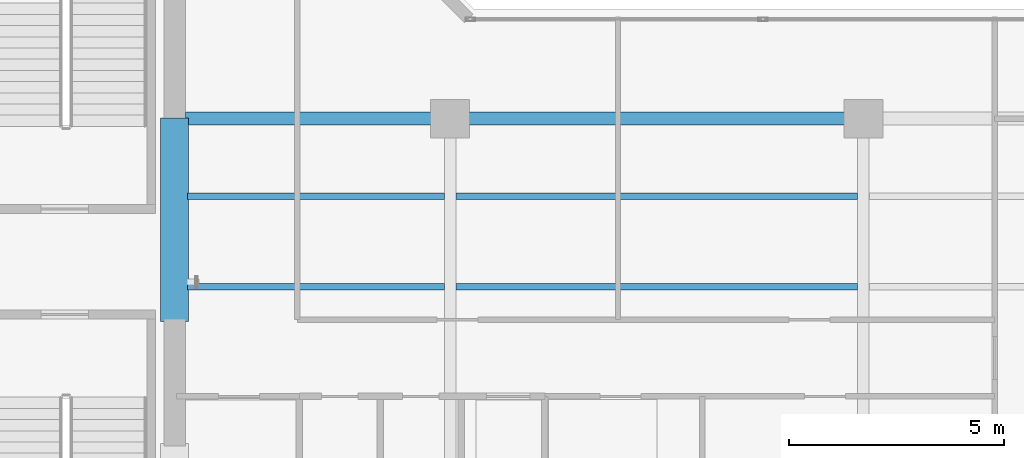
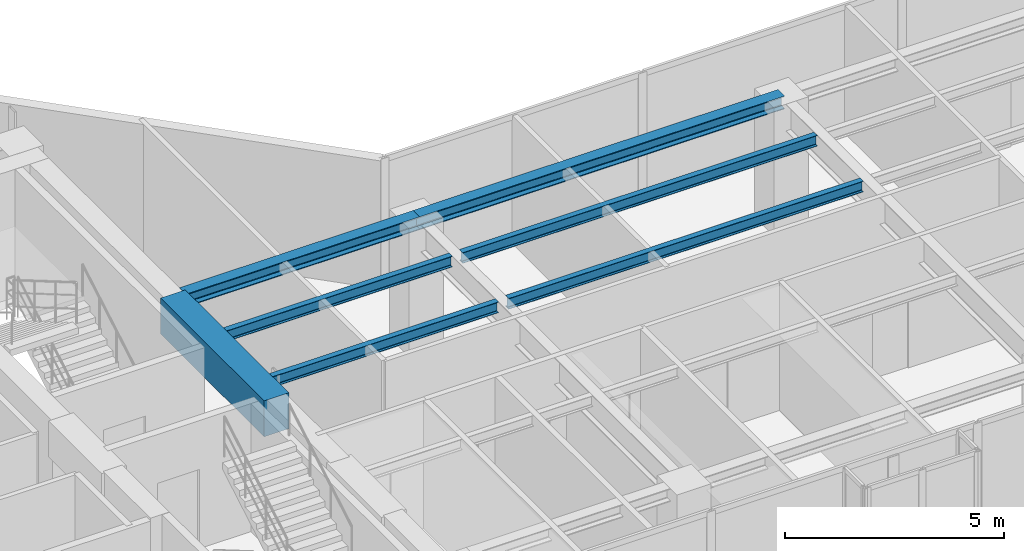
# One storey, part 6 of 22: 7 beams.
"""IFC4 building model written with IfcOpenShell, lengths in metres."""

from ifc_helpers import new_model, si_unit, direction, frame, origin, origin_2d, place, context, subcontext, project, spatial, rectangle, i_section, extrude, material, material_profile, profile_set, type_object, element, save


model = new_model("IFC4")

# Units and contexts
model_context = context("Model", 3, precision=1e-05, world=origin(), true_north=direction((0.0, 1.0)))
body_context = subcontext(model_context, "Body", "Model", "MODEL_VIEW")
ifc_project = project(units=[si_unit("LENGTHUNIT", "METRE"), si_unit("AREAUNIT", "SQUARE_METRE"), si_unit("VOLUMEUNIT", "CUBIC_METRE"), si_unit("PLANEANGLEUNIT", "RADIAN"), si_unit("MASSUNIT", "GRAM", prefix="KILO")], contexts=[model_context])

# Site, building, storey
site_placement = place(None, origin())
site = spatial("IfcSite", under=ifc_project, at=site_placement, CompositionType="ELEMENT")
building_placement = place(site_placement, origin())
building = spatial("IfcBuilding", under=site, at=building_placement, Name="Kolvaren Waterfront Exchange", CompositionType="ELEMENT")
storey_placement = place(building_placement, frame((0.0, 0.0, 281.800048828125)))
storey = spatial("IfcBuildingStorey", under=building, at=storey_placement, Name="L72", CompositionType="ELEMENT", Elevation=281.800048828125)

# Beams
ifc_material_1 = material(Name="Steel S355", Category="steel")
ifc_material_profile_1 = material_profile(ifc_material_1, i_section(OverallWidth=0.300048828125, OverallDepth=0.360107421875, WebThickness=0.012451171875, FlangeThickness=0.0224609375, FilletRadius=0.027099609375, at=origin_2d()), Name="HEB360")
ifc_profile_set_1 = profile_set([ifc_material_profile_1], Name="Steel S355")
beam_type_1 = type_object("IfcBeamType", Name="STR-BM-HEB360", PredefinedType="SPANDREL", material=ifc_profile_set_1)
beam_1_placement = place(storey_placement, frame((21.050048828125, 17.39990234375, 3.3798828125), z_axis=(1.0, 0.0, 0.0), x_axis=(0.0, 1.0, 0.0)))
element("IfcBeam", 1, at=beam_1_placement, inside=storey, type_object=beam_type_1, Name="L72 east-arm spandrel N1", PredefinedType="SPANDREL", context=body_context, shape_type="SweptSolid", body=[
    extrude(i_section(OverallWidth=0.300048828125, OverallDepth=0.360107421875, WebThickness=0.012451171875, FlangeThickness=0.0224609375, FilletRadius=0.027099609375, at=origin_2d()), origin(), (0.0, 0.0, 1.0), 6.14990234375),
])
beam_2_placement = place(storey_placement, frame((27.199951171875, 17.39990234375, 3.3798828125), z_axis=(1.0, 0.0, 0.0), x_axis=(0.0, 1.0, 0.0)))
element("IfcBeam", 2, at=beam_2_placement, inside=storey, type_object=beam_type_1, Name="L72 east-arm spandrel N2", PredefinedType="SPANDREL", context=body_context, shape_type="SweptSolid", body=[
    extrude(i_section(OverallWidth=0.300048828125, OverallDepth=0.360107421875, WebThickness=0.012451171875, FlangeThickness=0.0224609375, FilletRadius=0.027099609375, at=origin_2d()), origin(), (0.0, 0.0, 1.0), 9.60009765625),
])
ifc_material_profile_2 = material_profile(ifc_material_1, i_section(OverallWidth=0.14990234375, OverallDepth=0.300048828125, WebThickness=0.007080078125, FlangeThickness=0.0107421875, FilletRadius=0.014892578125, at=origin_2d()), Name="IPE300")
ifc_profile_set_2 = profile_set([ifc_material_profile_2], Name="Steel S355")
beam_type_2 = type_object("IfcBeamType", Name="STR-BM-IPE300", PredefinedType="JOIST", material=ifc_profile_set_2)
for number, where, z_axis, x_axis, name in (
    (3, (21.10009765625, 13.5, 3.409912109375), (1.0, 0.0, 0.0), (0.0, 1.0, 0.0), "L72 east-arm composite joist 1A"),
    (4, (21.10009765625, 15.60009765625, 3.409912109375), (1.0, 0.0, 0.0), (0.0, 1.0, 0.0), "L72 east-arm composite joist 1C"),
):
    element("IfcBeam", number, at=place(storey_placement, frame(where, z_axis=z_axis, x_axis=x_axis)), inside=storey, type_object=beam_type_2, Name=name, PredefinedType="JOIST", context=body_context, shape_type="SweptSolid", body=[
        extrude(i_section(OverallWidth=0.14990234375, OverallDepth=0.300048828125, WebThickness=0.007080078125, FlangeThickness=0.0107421875, FilletRadius=0.014892578125, at=origin_2d()), origin(), (0.0, 0.0, 1.0), 5.96435546875),
    ])
for number, where, z_axis, x_axis, name in (
    (5, (27.33544921875, 13.5, 3.409912109375), (1.0, 0.0, 0.0), (0.0, 1.0, 0.0), "L72 east-arm composite joist 2A"),
    (6, (27.33544921875, 15.60009765625, 3.409912109375), (1.0, 0.0, 0.0), (0.0, 1.0, 0.0), "L72 east-arm composite joist 2C"),
):
    element("IfcBeam", number, at=place(storey_placement, frame(where, z_axis=z_axis, x_axis=x_axis)), inside=storey, type_object=beam_type_2, Name=name, PredefinedType="JOIST", context=body_context, shape_type="SweptSolid", body=[
        extrude(i_section(OverallWidth=0.14990234375, OverallDepth=0.300048828125, WebThickness=0.007080078125, FlangeThickness=0.0107421875, FilletRadius=0.014892578125, at=origin_2d()), origin(), (0.0, 0.0, 1.0), 9.3291015625),
    ])
ifc_material_2 = material(Name="Concrete C60/75", Category="concrete")
ifc_material_profile_3 = material_profile(ifc_material_2, rectangle(XDim=0.64990234375, YDim=1.0, at=origin_2d()), Name="RC-CB-1000x650")
ifc_profile_set_3 = profile_set([ifc_material_profile_3], Name="Concrete C60/75")
beam_type_3 = type_object("IfcBeamType", Name="STR-CB-1000", PredefinedType="SPANDREL", material=ifc_profile_set_3)
beam_3_placement = place(storey_placement, frame((20.800048828125, 12.68994140625, 3.06005859375), z_axis=(0.0, 1.0, 0.0), x_axis=(-1.0, 0.0, 0.0)))
element("IfcBeam", 7, at=beam_3_placement, inside=storey, type_object=beam_type_3, Name="L72 core coupling beam 2", PredefinedType="SPANDREL", context=body_context, shape_type="SweptSolid", body=[
    extrude(rectangle(XDim=0.64990234375, YDim=1.0, at=origin_2d()), origin(), (0.0, 0.0, 1.0), 4.719970703125),
])

save(model, "model.ifc")
